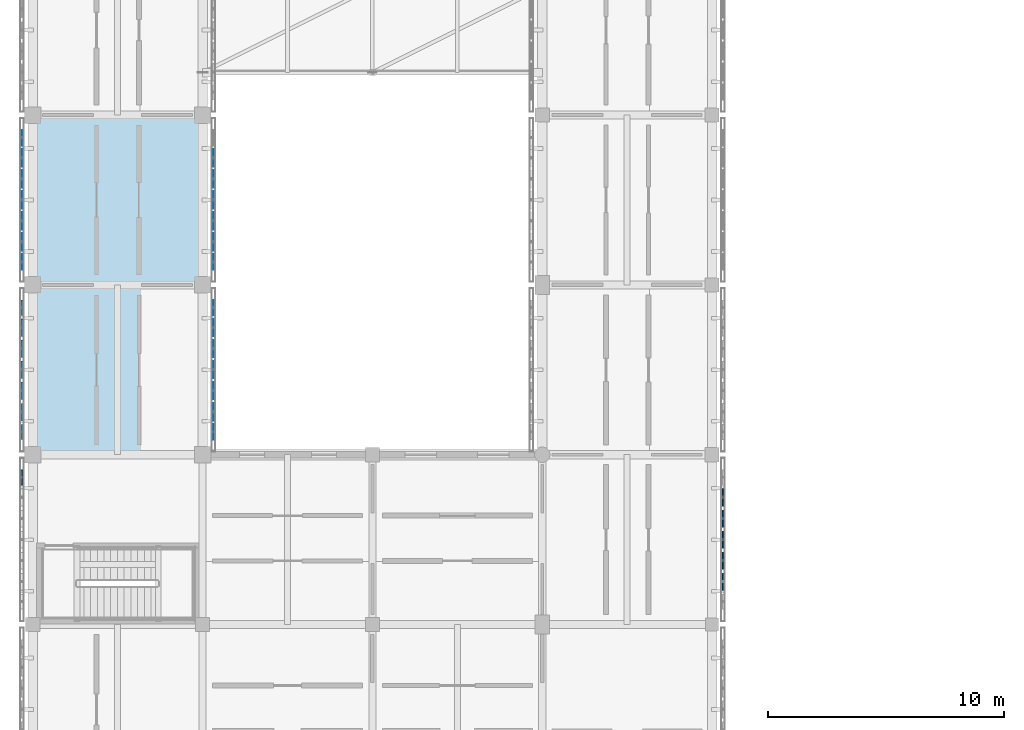
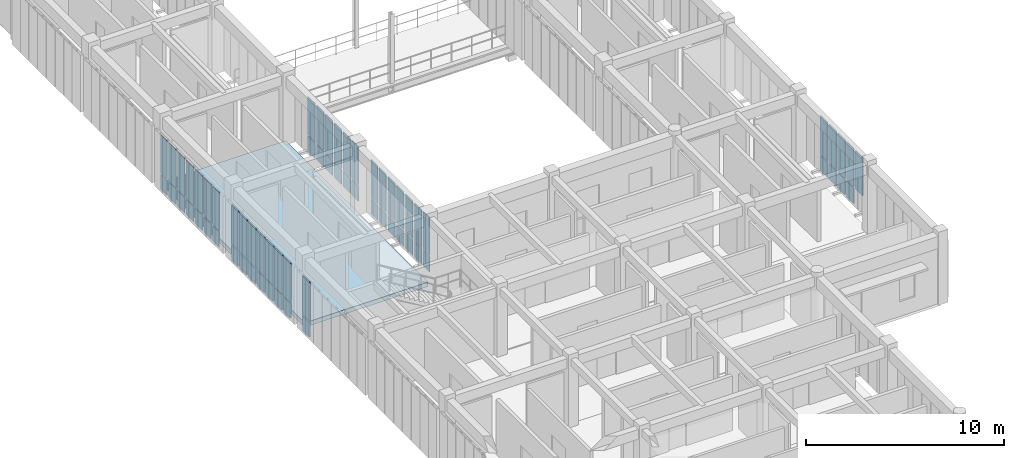
# One storey, part 97 of 171: 65 plates, 1 slab, 6 elements without a shape of their own.
"""IFC4 building model written with IfcOpenShell, lengths in metres."""

from ifc_helpers import new_model, si_unit, direction, frame, origin, origin_2d, place, context, subcontext, project, spatial, polyline, rectangle, outline, extrude, material, layer, layer_set, type_object, element, aggregate, save


model = new_model("IFC4")

# Units and contexts
model_context = context("Model", 3, precision=1e-05, world=origin(), true_north=direction((0.0, 1.0)))
body_context = subcontext(model_context, "Body", "Model", "MODEL_VIEW")
ifc_project = project(units=[si_unit("LENGTHUNIT", "METRE"), si_unit("AREAUNIT", "SQUARE_METRE"), si_unit("VOLUMEUNIT", "CUBIC_METRE"), si_unit("PLANEANGLEUNIT", "RADIAN"), si_unit("MASSUNIT", "GRAM", prefix="KILO")], contexts=[model_context])

# Site, building, storey
site_placement = place(None, origin())
site = spatial("IfcSite", under=ifc_project, at=site_placement, CompositionType="ELEMENT")
building_placement = place(site_placement, origin())
building = spatial("IfcBuilding", under=site, at=building_placement, Name="Aldebral Square Health Centre", CompositionType="ELEMENT")
storey_placement = place(building_placement, frame((0.0, 0.0, 4.5)))
storey = spatial("IfcBuildingStorey", under=building, at=storey_placement, Name="L01", CompositionType="ELEMENT", Elevation=4.5)

# Curtain wall, plates
ifc_material_1 = material(Name="Aluminium and low-E solar glass", Category="aluminium")
curtain_wall_type = type_object("IfcCurtainWallType", Name="CW-FIN-SYS", PredefinedType="USERDEFINED", material=ifc_material_1)
curtain_wall_1_placement = place(storey_placement, origin())
curtain_wall_1 = element("IfcCurtainWall", 1, at=curtain_wall_1_placement, inside=storey, type_object=curtain_wall_type, Name="L01 V4 finned curtain wall L01-V4-00-09-E", ObjectType="SOLAR_CURTAIN_WALL", PredefinedType="USERDEFINED")
ifc_material_2 = material(Name="Solar-control low-E double glass", Category="glass")
ifc_layer_1 = layer(ifc_material_2, 0.02001953125, Name="Solar-control low-E double glass", Category="glass")
ifc_layer_set_1 = layer_set([ifc_layer_1], Name="Solar-control low-E double glass")
plate_type_1 = type_object("IfcPlateType", Name="CWP-GLZ-1", PredefinedType="CURTAIN_PANEL", material=ifc_layer_set_1)
plate_1_placement = place(storey_placement, frame((7.659912109375, 65.765625, 0.074951171875), z_axis=(0.0, 0.0, 1.0), x_axis=(0.0, 1.0, 0.0)))
plate_1 = element("IfcPlate", 2, at=plate_1_placement, type_object=plate_type_1, Name="CW1 panel 1.1", PredefinedType="CURTAIN_PANEL", context=body_context, shape_type="SweptSolid", body=[
    extrude(rectangle(XDim=0.6513671875, YDim=0.02001953125, at=origin_2d()), origin(), (0.0, 0.0, 1.0), 0.9375),
])
plate_2_placement = place(storey_placement, frame((7.659912109375, 65.765625, 1.087646484375), z_axis=(0.0, 0.0, 1.0), x_axis=(0.0, 1.0, 0.0)))
plate_2 = element("IfcPlate", 3, at=plate_2_placement, type_object=plate_type_1, Name="CW1 panel 1.2", PredefinedType="CURTAIN_PANEL", context=body_context, shape_type="SweptSolid", body=[
    extrude(rectangle(XDim=0.6513671875, YDim=0.02001953125, at=origin_2d()), origin(), (0.0, 0.0, 1.0), 2.357421875),
])
plate_3_placement = place(storey_placement, frame((7.659912109375, 66.6171875, 0.074951171875), z_axis=(0.0, 0.0, 1.0), x_axis=(0.0, 1.0, 0.0)))
plate_3 = element("IfcPlate", 4, at=plate_3_placement, type_object=plate_type_1, Name="CW1 panel 2.1", PredefinedType="CURTAIN_PANEL", context=body_context, shape_type="SweptSolid", body=[
    extrude(rectangle(XDim=0.7314453125, YDim=0.02001953125, at=origin_2d()), origin(), (0.0, 0.0, 1.0), 0.9375),
])
plate_4_placement = place(storey_placement, frame((7.659912109375, 66.6171875, 1.087646484375), z_axis=(0.0, 0.0, 1.0), x_axis=(0.0, 1.0, 0.0)))
plate_4 = element("IfcPlate", 5, at=plate_4_placement, type_object=plate_type_1, Name="CW1 panel 2.2", PredefinedType="CURTAIN_PANEL", context=body_context, shape_type="SweptSolid", body=[
    extrude(rectangle(XDim=0.7314453125, YDim=0.02001953125, at=origin_2d()), origin(), (0.0, 0.0, 1.0), 2.357421875),
])
plate_5_placement = place(storey_placement, frame((7.659912109375, 67.508544921875, 0.074951171875), z_axis=(0.0, 0.0, 1.0), x_axis=(0.0, 1.0, 0.0)))
plate_5 = element("IfcPlate", 6, at=plate_5_placement, type_object=plate_type_1, Name="CW1 panel 3.1", PredefinedType="CURTAIN_PANEL", context=body_context, shape_type="SweptSolid", body=[
    extrude(rectangle(XDim=0.7314453125, YDim=0.02001953125, at=origin_2d()), origin(), (0.0, 0.0, 1.0), 0.9375),
])
plate_6_placement = place(storey_placement, frame((7.659912109375, 67.508544921875, 1.087646484375), z_axis=(0.0, 0.0, 1.0), x_axis=(0.0, 1.0, 0.0)))
plate_6 = element("IfcPlate", 7, at=plate_6_placement, type_object=plate_type_1, Name="CW1 panel 3.2", PredefinedType="CURTAIN_PANEL", context=body_context, shape_type="SweptSolid", body=[
    extrude(rectangle(XDim=0.7314453125, YDim=0.02001953125, at=origin_2d()), origin(), (0.0, 0.0, 1.0), 2.357421875),
])
plate_7_placement = place(storey_placement, frame((7.659912109375, 68.39990234375, 0.074951171875), z_axis=(0.0, 0.0, 1.0), x_axis=(0.0, 1.0, 0.0)))
plate_7 = element("IfcPlate", 8, at=plate_7_placement, type_object=plate_type_1, Name="CW1 panel 4.1", PredefinedType="CURTAIN_PANEL", context=body_context, shape_type="SweptSolid", body=[
    extrude(rectangle(XDim=0.7314453125, YDim=0.02001953125, at=origin_2d()), origin(), (0.0, 0.0, 1.0), 0.9375),
])
plate_8_placement = place(storey_placement, frame((7.659912109375, 68.39990234375, 1.087646484375), z_axis=(0.0, 0.0, 1.0), x_axis=(0.0, 1.0, 0.0)))
plate_8 = element("IfcPlate", 9, at=plate_8_placement, type_object=plate_type_1, Name="CW1 panel 4.2", PredefinedType="CURTAIN_PANEL", context=body_context, shape_type="SweptSolid", body=[
    extrude(rectangle(XDim=0.7314453125, YDim=0.02001953125, at=origin_2d()), origin(), (0.0, 0.0, 1.0), 2.357421875),
])
plate_9_placement = place(storey_placement, frame((7.659912109375, 69.29150390625, 0.074951171875), z_axis=(0.0, 0.0, 1.0), x_axis=(0.0, 1.0, 0.0)))
plate_9 = element("IfcPlate", 10, at=plate_9_placement, type_object=plate_type_1, Name="CW1 panel 5.1", PredefinedType="CURTAIN_PANEL", context=body_context, shape_type="SweptSolid", body=[
    extrude(rectangle(XDim=0.7314453125, YDim=0.02001953125, at=origin_2d()), origin(), (0.0, 0.0, 1.0), 0.9375),
])
plate_10_placement = place(storey_placement, frame((7.659912109375, 69.29150390625, 1.087646484375), z_axis=(0.0, 0.0, 1.0), x_axis=(0.0, 1.0, 0.0)))
plate_10 = element("IfcPlate", 11, at=plate_10_placement, type_object=plate_type_1, Name="CW1 panel 5.2", PredefinedType="CURTAIN_PANEL", context=body_context, shape_type="SweptSolid", body=[
    extrude(rectangle(XDim=0.7314453125, YDim=0.02001953125, at=origin_2d()), origin(), (0.0, 0.0, 1.0), 2.357421875),
])
plate_11_placement = place(storey_placement, frame((7.659912109375, 70.182861328125, 0.074951171875), z_axis=(0.0, 0.0, 1.0), x_axis=(0.0, 1.0, 0.0)))
plate_11 = element("IfcPlate", 12, at=plate_11_placement, type_object=plate_type_1, Name="CW1 panel 6.1", PredefinedType="CURTAIN_PANEL", context=body_context, shape_type="SweptSolid", body=[
    extrude(rectangle(XDim=0.7314453125, YDim=0.02001953125, at=origin_2d()), origin(), (0.0, 0.0, 1.0), 0.9375),
])
plate_12_placement = place(storey_placement, frame((7.659912109375, 70.182861328125, 1.087646484375), z_axis=(0.0, 0.0, 1.0), x_axis=(0.0, 1.0, 0.0)))
plate_12 = element("IfcPlate", 13, at=plate_12_placement, type_object=plate_type_1, Name="CW1 panel 6.2", PredefinedType="CURTAIN_PANEL", context=body_context, shape_type="SweptSolid", body=[
    extrude(rectangle(XDim=0.7314453125, YDim=0.02001953125, at=origin_2d()), origin(), (0.0, 0.0, 1.0), 2.357421875),
])
plate_13_placement = place(storey_placement, frame((7.659912109375, 71.0341796875, 0.074951171875), z_axis=(0.0, 0.0, 1.0), x_axis=(0.0, 1.0, 0.0)))
plate_13 = element("IfcPlate", 14, at=plate_13_placement, type_object=plate_type_1, Name="CW1 panel 7.1", PredefinedType="CURTAIN_PANEL", context=body_context, shape_type="SweptSolid", body=[
    extrude(rectangle(XDim=0.6513671875, YDim=0.02001953125, at=origin_2d()), origin(), (0.0, 0.0, 1.0), 0.9375),
])
plate_14_placement = place(storey_placement, frame((7.659912109375, 71.0341796875, 1.087646484375), z_axis=(0.0, 0.0, 1.0), x_axis=(0.0, 1.0, 0.0)))
plate_14 = element("IfcPlate", 15, at=plate_14_placement, type_object=plate_type_1, Name="CW1 panel 7.2", PredefinedType="CURTAIN_PANEL", context=body_context, shape_type="SweptSolid", body=[
    extrude(rectangle(XDim=0.6513671875, YDim=0.02001953125, at=origin_2d()), origin(), (0.0, 0.0, 1.0), 2.357421875),
])
aggregate(curtain_wall_1, [plate_1, plate_2, plate_3, plate_4, plate_5, plate_6, plate_7, plate_8, plate_9, plate_10, plate_11, plate_12, plate_13, plate_14])

curtain_wall_2_placement = place(storey_placement, origin())
curtain_wall_2 = element("IfcCurtainWall", 16, at=curtain_wall_2_placement, inside=storey, type_object=curtain_wall_type, Name="L01 V4 finned curtain wall L01-V4-00-10-W", ObjectType="SOLAR_CURTAIN_WALL", PredefinedType="USERDEFINED")
ifc_layer_2 = layer(ifc_material_2, 0.030029296875, Name="Solar-control low-E double glass", Category="glass")
ifc_layer_set_2 = layer_set([ifc_layer_2], Name="Solar-control low-E double glass")
plate_type_2 = type_object("IfcPlateType", Name="CWP-GLZ-2", PredefinedType="CURTAIN_PANEL", material=ifc_layer_set_2)
plate_15_placement = place(storey_placement, frame((-0.4599609375, 78.234375, 0.074951171875), z_axis=(0.0, 0.0, 1.0), x_axis=(0.0, -1.0, 0.0)))
plate_15 = element("IfcPlate", 17, at=plate_15_placement, type_object=plate_type_2, Name="CW1 panel 1.1", PredefinedType="CURTAIN_PANEL", context=body_context, shape_type="SweptSolid", body=[
    extrude(rectangle(XDim=0.6513671875, YDim=0.030029296875, at=origin_2d()), origin(), (0.0, 0.0, 1.0), 0.9375),
])
plate_16_placement = place(storey_placement, frame((-0.4599609375, 78.234375, 1.087646484375), z_axis=(0.0, 0.0, 1.0), x_axis=(0.0, -1.0, 0.0)))
plate_16 = element("IfcPlate", 18, at=plate_16_placement, type_object=plate_type_2, Name="CW1 panel 1.2", PredefinedType="CURTAIN_PANEL", context=body_context, shape_type="SweptSolid", body=[
    extrude(rectangle(XDim=0.6513671875, YDim=0.030029296875, at=origin_2d()), origin(), (0.0, 0.0, 1.0), 2.357421875),
])
plate_17_placement = place(storey_placement, frame((-0.4599609375, 77.3828125, 0.074951171875), z_axis=(0.0, 0.0, 1.0), x_axis=(0.0, -1.0, 0.0)))
plate_17 = element("IfcPlate", 19, at=plate_17_placement, type_object=plate_type_2, Name="CW1 panel 2.1", PredefinedType="CURTAIN_PANEL", context=body_context, shape_type="SweptSolid", body=[
    extrude(rectangle(XDim=0.7314453125, YDim=0.030029296875, at=origin_2d()), origin(), (0.0, 0.0, 1.0), 0.9375),
])
plate_18_placement = place(storey_placement, frame((-0.4599609375, 77.3828125, 1.087646484375), z_axis=(0.0, 0.0, 1.0), x_axis=(0.0, -1.0, 0.0)))
plate_18 = element("IfcPlate", 20, at=plate_18_placement, type_object=plate_type_2, Name="CW1 panel 2.2", PredefinedType="CURTAIN_PANEL", context=body_context, shape_type="SweptSolid", body=[
    extrude(rectangle(XDim=0.7314453125, YDim=0.030029296875, at=origin_2d()), origin(), (0.0, 0.0, 1.0), 2.357421875),
])
plate_19_placement = place(storey_placement, frame((-0.4599609375, 76.491455078125, 0.074951171875), z_axis=(0.0, 0.0, 1.0), x_axis=(0.0, -1.0, 0.0)))
plate_19 = element("IfcPlate", 21, at=plate_19_placement, type_object=plate_type_2, Name="CW1 panel 3.1", PredefinedType="CURTAIN_PANEL", context=body_context, shape_type="SweptSolid", body=[
    extrude(rectangle(XDim=0.7314453125, YDim=0.030029296875, at=origin_2d()), origin(), (0.0, 0.0, 1.0), 0.9375),
])
plate_20_placement = place(storey_placement, frame((-0.4599609375, 76.491455078125, 1.087646484375), z_axis=(0.0, 0.0, 1.0), x_axis=(0.0, -1.0, 0.0)))
plate_20 = element("IfcPlate", 22, at=plate_20_placement, type_object=plate_type_2, Name="CW1 panel 3.2", PredefinedType="CURTAIN_PANEL", context=body_context, shape_type="SweptSolid", body=[
    extrude(rectangle(XDim=0.7314453125, YDim=0.030029296875, at=origin_2d()), origin(), (0.0, 0.0, 1.0), 2.357421875),
])
plate_21_placement = place(storey_placement, frame((-0.4599609375, 75.60009765625, 0.074951171875), z_axis=(0.0, 0.0, 1.0), x_axis=(0.0, -1.0, 0.0)))
plate_21 = element("IfcPlate", 23, at=plate_21_placement, type_object=plate_type_2, Name="CW1 panel 4.1", PredefinedType="CURTAIN_PANEL", context=body_context, shape_type="SweptSolid", body=[
    extrude(rectangle(XDim=0.7314453125, YDim=0.030029296875, at=origin_2d()), origin(), (0.0, 0.0, 1.0), 0.9375),
])
plate_22_placement = place(storey_placement, frame((-0.4599609375, 75.60009765625, 1.087646484375), z_axis=(0.0, 0.0, 1.0), x_axis=(0.0, -1.0, 0.0)))
plate_22 = element("IfcPlate", 24, at=plate_22_placement, type_object=plate_type_2, Name="CW1 panel 4.2", PredefinedType="CURTAIN_PANEL", context=body_context, shape_type="SweptSolid", body=[
    extrude(rectangle(XDim=0.7314453125, YDim=0.030029296875, at=origin_2d()), origin(), (0.0, 0.0, 1.0), 2.357421875),
])
plate_23_placement = place(storey_placement, frame((-0.4599609375, 74.70849609375, 0.074951171875), z_axis=(0.0, 0.0, 1.0), x_axis=(0.0, -1.0, 0.0)))
plate_23 = element("IfcPlate", 25, at=plate_23_placement, type_object=plate_type_2, Name="CW1 panel 5.1", PredefinedType="CURTAIN_PANEL", context=body_context, shape_type="SweptSolid", body=[
    extrude(rectangle(XDim=0.7314453125, YDim=0.030029296875, at=origin_2d()), origin(), (0.0, 0.0, 1.0), 0.9375),
])
plate_24_placement = place(storey_placement, frame((-0.4599609375, 74.70849609375, 1.087646484375), z_axis=(0.0, 0.0, 1.0), x_axis=(0.0, -1.0, 0.0)))
plate_24 = element("IfcPlate", 26, at=plate_24_placement, type_object=plate_type_2, Name="CW1 panel 5.2", PredefinedType="CURTAIN_PANEL", context=body_context, shape_type="SweptSolid", body=[
    extrude(rectangle(XDim=0.7314453125, YDim=0.030029296875, at=origin_2d()), origin(), (0.0, 0.0, 1.0), 2.357421875),
])
plate_25_placement = place(storey_placement, frame((-0.4599609375, 73.817138671875, 0.074951171875), z_axis=(0.0, 0.0, 1.0), x_axis=(0.0, -1.0, 0.0)))
plate_25 = element("IfcPlate", 27, at=plate_25_placement, type_object=plate_type_2, Name="CW1 panel 6.1", PredefinedType="CURTAIN_PANEL", context=body_context, shape_type="SweptSolid", body=[
    extrude(rectangle(XDim=0.7314453125, YDim=0.030029296875, at=origin_2d()), origin(), (0.0, 0.0, 1.0), 0.9375),
])
plate_26_placement = place(storey_placement, frame((-0.4599609375, 73.817138671875, 1.087646484375), z_axis=(0.0, 0.0, 1.0), x_axis=(0.0, -1.0, 0.0)))
plate_26 = element("IfcPlate", 28, at=plate_26_placement, type_object=plate_type_2, Name="CW1 panel 6.2", PredefinedType="CURTAIN_PANEL", context=body_context, shape_type="SweptSolid", body=[
    extrude(rectangle(XDim=0.7314453125, YDim=0.030029296875, at=origin_2d()), origin(), (0.0, 0.0, 1.0), 2.357421875),
])
plate_27_placement = place(storey_placement, frame((-0.4599609375, 72.9658203125, 0.074951171875), z_axis=(0.0, 0.0, 1.0), x_axis=(0.0, -1.0, 0.0)))
plate_27 = element("IfcPlate", 29, at=plate_27_placement, type_object=plate_type_2, Name="CW1 panel 7.1", PredefinedType="CURTAIN_PANEL", context=body_context, shape_type="SweptSolid", body=[
    extrude(rectangle(XDim=0.6513671875, YDim=0.030029296875, at=origin_2d()), origin(), (0.0, 0.0, 1.0), 0.9375),
])
plate_28_placement = place(storey_placement, frame((-0.4599609375, 72.9658203125, 1.087646484375), z_axis=(0.0, 0.0, 1.0), x_axis=(0.0, -1.0, 0.0)))
plate_28 = element("IfcPlate", 30, at=plate_28_placement, type_object=plate_type_2, Name="CW1 panel 7.2", PredefinedType="CURTAIN_PANEL", context=body_context, shape_type="SweptSolid", body=[
    extrude(rectangle(XDim=0.6513671875, YDim=0.030029296875, at=origin_2d()), origin(), (0.0, 0.0, 1.0), 2.357421875),
])
aggregate(curtain_wall_2, [plate_15, plate_16, plate_17, plate_18, plate_19, plate_20, plate_21, plate_22, plate_23, plate_24, plate_25, plate_26, plate_27, plate_28])

curtain_wall_3_placement = place(storey_placement, origin())
curtain_wall_3 = element("IfcCurtainWall", 31, at=curtain_wall_3_placement, inside=storey, type_object=curtain_wall_type, Name="L01 V4 finned curtain wall L01-V4-00-10-E", ObjectType="SOLAR_CURTAIN_WALL", PredefinedType="USERDEFINED")
ifc_layer_3 = layer(ifc_material_2, 0.0400390625, Name="Solar-control low-E double glass", Category="glass")
ifc_layer_set_3 = layer_set([ifc_layer_3], Name="Solar-control low-E double glass")
plate_type_3 = type_object("IfcPlateType", Name="CWP-GLZ-3", PredefinedType="CURTAIN_PANEL", material=ifc_layer_set_3)
plate_29_placement = place(storey_placement, frame((7.659912109375, 72.9658203125, 0.074951171875), z_axis=(0.0, 0.0, 1.0), x_axis=(0.0, 1.0, 0.0)))
plate_29 = element("IfcPlate", 32, at=plate_29_placement, type_object=plate_type_3, Name="CW1 panel 1.1", PredefinedType="CURTAIN_PANEL", context=body_context, shape_type="SweptSolid", body=[
    extrude(rectangle(XDim=0.6513671875, YDim=0.0400390625, at=origin_2d()), origin(), (0.0, 0.0, 1.0), 0.9375),
])
plate_30_placement = place(storey_placement, frame((7.659912109375, 72.9658203125, 1.087646484375), z_axis=(0.0, 0.0, 1.0), x_axis=(0.0, 1.0, 0.0)))
plate_30 = element("IfcPlate", 33, at=plate_30_placement, type_object=plate_type_3, Name="CW1 panel 1.2", PredefinedType="CURTAIN_PANEL", context=body_context, shape_type="SweptSolid", body=[
    extrude(rectangle(XDim=0.6513671875, YDim=0.0400390625, at=origin_2d()), origin(), (0.0, 0.0, 1.0), 2.357421875),
])
plate_31_placement = place(storey_placement, frame((7.659912109375, 73.817138671875, 0.074951171875), z_axis=(0.0, 0.0, 1.0), x_axis=(0.0, 1.0, 0.0)))
plate_31 = element("IfcPlate", 34, at=plate_31_placement, type_object=plate_type_3, Name="CW1 panel 2.1", PredefinedType="CURTAIN_PANEL", context=body_context, shape_type="SweptSolid", body=[
    extrude(rectangle(XDim=0.7314453125, YDim=0.0400390625, at=origin_2d()), origin(), (0.0, 0.0, 1.0), 0.9375),
])
plate_32_placement = place(storey_placement, frame((7.659912109375, 73.817138671875, 1.087646484375), z_axis=(0.0, 0.0, 1.0), x_axis=(0.0, 1.0, 0.0)))
plate_32 = element("IfcPlate", 35, at=plate_32_placement, type_object=plate_type_3, Name="CW1 panel 2.2", PredefinedType="CURTAIN_PANEL", context=body_context, shape_type="SweptSolid", body=[
    extrude(rectangle(XDim=0.7314453125, YDim=0.0400390625, at=origin_2d()), origin(), (0.0, 0.0, 1.0), 2.357421875),
])
plate_33_placement = place(storey_placement, frame((7.659912109375, 74.70849609375, 0.074951171875), z_axis=(0.0, 0.0, 1.0), x_axis=(0.0, 1.0, 0.0)))
plate_33 = element("IfcPlate", 36, at=plate_33_placement, type_object=plate_type_3, Name="CW1 panel 3.1", PredefinedType="CURTAIN_PANEL", context=body_context, shape_type="SweptSolid", body=[
    extrude(rectangle(XDim=0.7314453125, YDim=0.0400390625, at=origin_2d()), origin(), (0.0, 0.0, 1.0), 0.9375),
])
plate_34_placement = place(storey_placement, frame((7.659912109375, 74.70849609375, 1.087646484375), z_axis=(0.0, 0.0, 1.0), x_axis=(0.0, 1.0, 0.0)))
plate_34 = element("IfcPlate", 37, at=plate_34_placement, type_object=plate_type_3, Name="CW1 panel 3.2", PredefinedType="CURTAIN_PANEL", context=body_context, shape_type="SweptSolid", body=[
    extrude(rectangle(XDim=0.7314453125, YDim=0.0400390625, at=origin_2d()), origin(), (0.0, 0.0, 1.0), 2.357421875),
])
plate_35_placement = place(storey_placement, frame((7.659912109375, 75.60009765625, 0.074951171875), z_axis=(0.0, 0.0, 1.0), x_axis=(0.0, 1.0, 0.0)))
plate_35 = element("IfcPlate", 38, at=plate_35_placement, type_object=plate_type_3, Name="CW1 panel 4.1", PredefinedType="CURTAIN_PANEL", context=body_context, shape_type="SweptSolid", body=[
    extrude(rectangle(XDim=0.7314453125, YDim=0.0400390625, at=origin_2d()), origin(), (0.0, 0.0, 1.0), 0.9375),
])
plate_36_placement = place(storey_placement, frame((7.659912109375, 75.60009765625, 1.087646484375), z_axis=(0.0, 0.0, 1.0), x_axis=(0.0, 1.0, 0.0)))
plate_36 = element("IfcPlate", 39, at=plate_36_placement, type_object=plate_type_3, Name="CW1 panel 4.2", PredefinedType="CURTAIN_PANEL", context=body_context, shape_type="SweptSolid", body=[
    extrude(rectangle(XDim=0.7314453125, YDim=0.0400390625, at=origin_2d()), origin(), (0.0, 0.0, 1.0), 2.357421875),
])
plate_37_placement = place(storey_placement, frame((7.659912109375, 76.491455078125, 0.074951171875), z_axis=(0.0, 0.0, 1.0), x_axis=(0.0, 1.0, 0.0)))
plate_37 = element("IfcPlate", 40, at=plate_37_placement, type_object=plate_type_3, Name="CW1 panel 5.1", PredefinedType="CURTAIN_PANEL", context=body_context, shape_type="SweptSolid", body=[
    extrude(rectangle(XDim=0.7314453125, YDim=0.0400390625, at=origin_2d()), origin(), (0.0, 0.0, 1.0), 0.9375),
])
plate_38_placement = place(storey_placement, frame((7.659912109375, 76.491455078125, 1.087646484375), z_axis=(0.0, 0.0, 1.0), x_axis=(0.0, 1.0, 0.0)))
plate_38 = element("IfcPlate", 41, at=plate_38_placement, type_object=plate_type_3, Name="CW1 panel 5.2", PredefinedType="CURTAIN_PANEL", context=body_context, shape_type="SweptSolid", body=[
    extrude(rectangle(XDim=0.7314453125, YDim=0.0400390625, at=origin_2d()), origin(), (0.0, 0.0, 1.0), 2.357421875),
])
plate_39_placement = place(storey_placement, frame((7.659912109375, 77.3828125, 0.074951171875), z_axis=(0.0, 0.0, 1.0), x_axis=(0.0, 1.0, 0.0)))
plate_39 = element("IfcPlate", 42, at=plate_39_placement, type_object=plate_type_3, Name="CW1 panel 6.1", PredefinedType="CURTAIN_PANEL", context=body_context, shape_type="SweptSolid", body=[
    extrude(rectangle(XDim=0.7314453125, YDim=0.0400390625, at=origin_2d()), origin(), (0.0, 0.0, 1.0), 0.9375),
])
plate_40_placement = place(storey_placement, frame((7.659912109375, 77.3828125, 1.087646484375), z_axis=(0.0, 0.0, 1.0), x_axis=(0.0, 1.0, 0.0)))
plate_40 = element("IfcPlate", 43, at=plate_40_placement, type_object=plate_type_3, Name="CW1 panel 6.2", PredefinedType="CURTAIN_PANEL", context=body_context, shape_type="SweptSolid", body=[
    extrude(rectangle(XDim=0.7314453125, YDim=0.0400390625, at=origin_2d()), origin(), (0.0, 0.0, 1.0), 2.357421875),
])
aggregate(curtain_wall_3, [plate_29, plate_30, plate_31, plate_32, plate_33, plate_34, plate_35, plate_36, plate_37, plate_38, plate_39, plate_40])

curtain_wall_4_placement = place(storey_placement, origin())
curtain_wall_4 = element("IfcCurtainWall", 44, at=curtain_wall_4_placement, inside=storey, type_object=curtain_wall_type, Name="L01 V4 finned curtain wall L01-V4-03-08-E", ObjectType="SOLAR_CURTAIN_WALL", PredefinedType="USERDEFINED")
ifc_layer_4 = layer(ifc_material_2, 0.06005859375, Name="Solar-control low-E double glass", Category="glass")
ifc_layer_set_4 = layer_set([ifc_layer_4], Name="Solar-control low-E double glass")
plate_type_4 = type_object("IfcPlateType", Name="CWP-GLZ-5", PredefinedType="CURTAIN_PANEL", material=ifc_layer_set_4)
plate_41_placement = place(storey_placement, frame((29.260009765625, 59.417236328125, 1.087646484375), z_axis=(0.0, 0.0, 1.0), x_axis=(0.0, 1.0, 0.0)))
plate_41 = element("IfcPlate", 45, at=plate_41_placement, type_object=plate_type_4, Name="CW1 panel 2.2", PredefinedType="CURTAIN_PANEL", context=body_context, shape_type="SweptSolid", body=[
    extrude(rectangle(XDim=0.7314453125, YDim=0.06005859375, at=origin_2d()), origin(), (0.0, 0.0, 1.0), 2.357421875),
])
plate_42_placement = place(storey_placement, frame((29.260009765625, 60.30859375, 0.074951171875), z_axis=(0.0, 0.0, 1.0), x_axis=(0.0, 1.0, 0.0)))
plate_42 = element("IfcPlate", 46, at=plate_42_placement, type_object=plate_type_4, Name="CW1 panel 3.1", PredefinedType="CURTAIN_PANEL", context=body_context, shape_type="SweptSolid", body=[
    extrude(rectangle(XDim=0.7314453125, YDim=0.06005859375, at=origin_2d()), origin(), (0.0, 0.0, 1.0), 0.9375),
])
plate_43_placement = place(storey_placement, frame((29.260009765625, 60.30859375, 1.087646484375), z_axis=(0.0, 0.0, 1.0), x_axis=(0.0, 1.0, 0.0)))
plate_43 = element("IfcPlate", 47, at=plate_43_placement, type_object=plate_type_4, Name="CW1 panel 3.2", PredefinedType="CURTAIN_PANEL", context=body_context, shape_type="SweptSolid", body=[
    extrude(rectangle(XDim=0.7314453125, YDim=0.06005859375, at=origin_2d()), origin(), (0.0, 0.0, 1.0), 2.357421875),
])
plate_44_placement = place(storey_placement, frame((29.260009765625, 61.199951171875, 0.074951171875), z_axis=(0.0, 0.0, 1.0), x_axis=(0.0, 1.0, 0.0)))
plate_44 = element("IfcPlate", 48, at=plate_44_placement, type_object=plate_type_4, Name="CW1 panel 4.1", PredefinedType="CURTAIN_PANEL", context=body_context, shape_type="SweptSolid", body=[
    extrude(rectangle(XDim=0.7314453125, YDim=0.06005859375, at=origin_2d()), origin(), (0.0, 0.0, 1.0), 0.9375),
])
plate_45_placement = place(storey_placement, frame((29.260009765625, 61.199951171875, 1.087646484375), z_axis=(0.0, 0.0, 1.0), x_axis=(0.0, 1.0, 0.0)))
plate_45 = element("IfcPlate", 49, at=plate_45_placement, type_object=plate_type_4, Name="CW1 panel 4.2", PredefinedType="CURTAIN_PANEL", context=body_context, shape_type="SweptSolid", body=[
    extrude(rectangle(XDim=0.7314453125, YDim=0.06005859375, at=origin_2d()), origin(), (0.0, 0.0, 1.0), 2.357421875),
])
plate_46_placement = place(storey_placement, frame((29.260009765625, 62.09130859375, 0.074951171875), z_axis=(0.0, 0.0, 1.0), x_axis=(0.0, 1.0, 0.0)))
plate_46 = element("IfcPlate", 50, at=plate_46_placement, type_object=plate_type_4, Name="CW1 panel 5.1", PredefinedType="CURTAIN_PANEL", context=body_context, shape_type="SweptSolid", body=[
    extrude(rectangle(XDim=0.7314453125, YDim=0.06005859375, at=origin_2d()), origin(), (0.0, 0.0, 1.0), 0.9375),
])
plate_47_placement = place(storey_placement, frame((29.260009765625, 62.09130859375, 1.087646484375), z_axis=(0.0, 0.0, 1.0), x_axis=(0.0, 1.0, 0.0)))
plate_47 = element("IfcPlate", 51, at=plate_47_placement, type_object=plate_type_4, Name="CW1 panel 5.2", PredefinedType="CURTAIN_PANEL", context=body_context, shape_type="SweptSolid", body=[
    extrude(rectangle(XDim=0.7314453125, YDim=0.06005859375, at=origin_2d()), origin(), (0.0, 0.0, 1.0), 2.357421875),
])
plate_48_placement = place(storey_placement, frame((29.260009765625, 62.98291015625, 0.074951171875), z_axis=(0.0, 0.0, 1.0), x_axis=(0.0, 1.0, 0.0)))
plate_48 = element("IfcPlate", 52, at=plate_48_placement, type_object=plate_type_4, Name="CW1 panel 6.1", PredefinedType="CURTAIN_PANEL", context=body_context, shape_type="SweptSolid", body=[
    extrude(rectangle(XDim=0.7314453125, YDim=0.06005859375, at=origin_2d()), origin(), (0.0, 0.0, 1.0), 0.9375),
])
plate_49_placement = place(storey_placement, frame((29.260009765625, 62.98291015625, 1.087646484375), z_axis=(0.0, 0.0, 1.0), x_axis=(0.0, 1.0, 0.0)))
plate_49 = element("IfcPlate", 53, at=plate_49_placement, type_object=plate_type_4, Name="CW1 panel 6.2", PredefinedType="CURTAIN_PANEL", context=body_context, shape_type="SweptSolid", body=[
    extrude(rectangle(XDim=0.7314453125, YDim=0.06005859375, at=origin_2d()), origin(), (0.0, 0.0, 1.0), 2.357421875),
])
aggregate(curtain_wall_4, [plate_41, plate_42, plate_43, plate_44, plate_45, plate_46, plate_47, plate_48, plate_49])

curtain_wall_5_placement = place(storey_placement, origin())
curtain_wall_5 = element("IfcCurtainWall", 54, at=curtain_wall_5_placement, inside=storey, type_object=curtain_wall_type, Name="L01 V4 finned curtain wall L01-V4-00-08-W", ObjectType="SOLAR_CURTAIN_WALL", PredefinedType="USERDEFINED")
ifc_layer_5 = layer(ifc_material_2, 0.080078125, Name="Solar-control low-E double glass", Category="glass")
ifc_layer_set_5 = layer_set([ifc_layer_5], Name="Solar-control low-E double glass")
plate_type_5 = type_object("IfcPlateType", Name="CWP-GLZ-7", PredefinedType="CURTAIN_PANEL", material=ifc_layer_set_5)
plate_50_placement = place(storey_placement, frame((-0.4599609375, 63.834228515625, 0.074951171875), z_axis=(0.0, 0.0, 1.0), x_axis=(0.0, -1.0, 0.0)))
plate_50 = element("IfcPlate", 55, at=plate_50_placement, type_object=plate_type_5, Name="CW1 panel 1.1", PredefinedType="CURTAIN_PANEL", context=body_context, shape_type="SweptSolid", body=[
    extrude(rectangle(XDim=0.6513671875, YDim=0.080078125, at=origin_2d()), origin(), (0.0, 0.0, 1.0), 0.9375),
])
plate_51_placement = place(storey_placement, frame((-0.4599609375, 63.834228515625, 1.087646484375), z_axis=(0.0, 0.0, 1.0), x_axis=(0.0, -1.0, 0.0)))
plate_51 = element("IfcPlate", 56, at=plate_51_placement, type_object=plate_type_5, Name="CW1 panel 1.2", PredefinedType="CURTAIN_PANEL", context=body_context, shape_type="SweptSolid", body=[
    extrude(rectangle(XDim=0.6513671875, YDim=0.080078125, at=origin_2d()), origin(), (0.0, 0.0, 1.0), 2.357421875),
])
aggregate(curtain_wall_5, [plate_50, plate_51])

curtain_wall_6_placement = place(storey_placement, origin())
curtain_wall_6 = element("IfcCurtainWall", 57, at=curtain_wall_6_placement, inside=storey, type_object=curtain_wall_type, Name="L01 V4 finned curtain wall L01-V4-00-09-W", ObjectType="SOLAR_CURTAIN_WALL", PredefinedType="USERDEFINED")
ifc_layer_6 = layer(ifc_material_2, 0.090087890625, Name="Solar-control low-E double glass", Category="glass")
ifc_layer_set_6 = layer_set([ifc_layer_6], Name="Solar-control low-E double glass")
plate_type_6 = type_object("IfcPlateType", Name="CWP-GLZ-8", PredefinedType="CURTAIN_PANEL", material=ifc_layer_set_6)
plate_52_placement = place(storey_placement, frame((-0.4599609375, 71.0341796875, 0.074951171875), z_axis=(0.0, 0.0, 1.0), x_axis=(0.0, -1.0, 0.0)))
plate_52 = element("IfcPlate", 58, at=plate_52_placement, type_object=plate_type_6, Name="CW1 panel 1.1", PredefinedType="CURTAIN_PANEL", context=body_context, shape_type="SweptSolid", body=[
    extrude(rectangle(XDim=0.6513671875, YDim=0.090087890625, at=origin_2d()), origin(), (0.0, 0.0, 1.0), 0.9375),
])
plate_53_placement = place(storey_placement, frame((-0.4599609375, 71.0341796875, 1.087646484375), z_axis=(0.0, 0.0, 1.0), x_axis=(0.0, -1.0, 0.0)))
plate_53 = element("IfcPlate", 59, at=plate_53_placement, type_object=plate_type_6, Name="CW1 panel 1.2", PredefinedType="CURTAIN_PANEL", context=body_context, shape_type="SweptSolid", body=[
    extrude(rectangle(XDim=0.6513671875, YDim=0.090087890625, at=origin_2d()), origin(), (0.0, 0.0, 1.0), 2.357421875),
])
plate_54_placement = place(storey_placement, frame((-0.4599609375, 70.182861328125, 0.074951171875), z_axis=(0.0, 0.0, 1.0), x_axis=(0.0, -1.0, 0.0)))
plate_54 = element("IfcPlate", 60, at=plate_54_placement, type_object=plate_type_6, Name="CW1 panel 2.1", PredefinedType="CURTAIN_PANEL", context=body_context, shape_type="SweptSolid", body=[
    extrude(rectangle(XDim=0.7314453125, YDim=0.090087890625, at=origin_2d()), origin(), (0.0, 0.0, 1.0), 0.9375),
])
plate_55_placement = place(storey_placement, frame((-0.4599609375, 70.182861328125, 1.087646484375), z_axis=(0.0, 0.0, 1.0), x_axis=(0.0, -1.0, 0.0)))
plate_55 = element("IfcPlate", 61, at=plate_55_placement, type_object=plate_type_6, Name="CW1 panel 2.2", PredefinedType="CURTAIN_PANEL", context=body_context, shape_type="SweptSolid", body=[
    extrude(rectangle(XDim=0.7314453125, YDim=0.090087890625, at=origin_2d()), origin(), (0.0, 0.0, 1.0), 2.357421875),
])
plate_56_placement = place(storey_placement, frame((-0.4599609375, 69.29150390625, 0.074951171875), z_axis=(0.0, 0.0, 1.0), x_axis=(0.0, -1.0, 0.0)))
plate_56 = element("IfcPlate", 62, at=plate_56_placement, type_object=plate_type_6, Name="CW1 panel 3.1", PredefinedType="CURTAIN_PANEL", context=body_context, shape_type="SweptSolid", body=[
    extrude(rectangle(XDim=0.7314453125, YDim=0.090087890625, at=origin_2d()), origin(), (0.0, 0.0, 1.0), 0.9375),
])
plate_57_placement = place(storey_placement, frame((-0.4599609375, 69.29150390625, 1.087646484375), z_axis=(0.0, 0.0, 1.0), x_axis=(0.0, -1.0, 0.0)))
plate_57 = element("IfcPlate", 63, at=plate_57_placement, type_object=plate_type_6, Name="CW1 panel 3.2", PredefinedType="CURTAIN_PANEL", context=body_context, shape_type="SweptSolid", body=[
    extrude(rectangle(XDim=0.7314453125, YDim=0.090087890625, at=origin_2d()), origin(), (0.0, 0.0, 1.0), 2.357421875),
])
plate_58_placement = place(storey_placement, frame((-0.4599609375, 68.39990234375, 0.074951171875), z_axis=(0.0, 0.0, 1.0), x_axis=(0.0, -1.0, 0.0)))
plate_58 = element("IfcPlate", 64, at=plate_58_placement, type_object=plate_type_6, Name="CW1 panel 4.1", PredefinedType="CURTAIN_PANEL", context=body_context, shape_type="SweptSolid", body=[
    extrude(rectangle(XDim=0.7314453125, YDim=0.090087890625, at=origin_2d()), origin(), (0.0, 0.0, 1.0), 0.9375),
])
plate_59_placement = place(storey_placement, frame((-0.4599609375, 68.39990234375, 1.087646484375), z_axis=(0.0, 0.0, 1.0), x_axis=(0.0, -1.0, 0.0)))
plate_59 = element("IfcPlate", 65, at=plate_59_placement, type_object=plate_type_6, Name="CW1 panel 4.2", PredefinedType="CURTAIN_PANEL", context=body_context, shape_type="SweptSolid", body=[
    extrude(rectangle(XDim=0.7314453125, YDim=0.090087890625, at=origin_2d()), origin(), (0.0, 0.0, 1.0), 2.357421875),
])
plate_60_placement = place(storey_placement, frame((-0.4599609375, 67.508544921875, 0.074951171875), z_axis=(0.0, 0.0, 1.0), x_axis=(0.0, -1.0, 0.0)))
plate_60 = element("IfcPlate", 66, at=plate_60_placement, type_object=plate_type_6, Name="CW1 panel 5.1", PredefinedType="CURTAIN_PANEL", context=body_context, shape_type="SweptSolid", body=[
    extrude(rectangle(XDim=0.7314453125, YDim=0.090087890625, at=origin_2d()), origin(), (0.0, 0.0, 1.0), 0.9375),
])
plate_61_placement = place(storey_placement, frame((-0.4599609375, 67.508544921875, 1.087646484375), z_axis=(0.0, 0.0, 1.0), x_axis=(0.0, -1.0, 0.0)))
plate_61 = element("IfcPlate", 67, at=plate_61_placement, type_object=plate_type_6, Name="CW1 panel 5.2", PredefinedType="CURTAIN_PANEL", context=body_context, shape_type="SweptSolid", body=[
    extrude(rectangle(XDim=0.7314453125, YDim=0.090087890625, at=origin_2d()), origin(), (0.0, 0.0, 1.0), 2.357421875),
])
plate_62_placement = place(storey_placement, frame((-0.4599609375, 66.6171875, 0.074951171875), z_axis=(0.0, 0.0, 1.0), x_axis=(0.0, -1.0, 0.0)))
plate_62 = element("IfcPlate", 68, at=plate_62_placement, type_object=plate_type_6, Name="CW1 panel 6.1", PredefinedType="CURTAIN_PANEL", context=body_context, shape_type="SweptSolid", body=[
    extrude(rectangle(XDim=0.7314453125, YDim=0.090087890625, at=origin_2d()), origin(), (0.0, 0.0, 1.0), 0.9375),
])
plate_63_placement = place(storey_placement, frame((-0.4599609375, 66.6171875, 1.087646484375), z_axis=(0.0, 0.0, 1.0), x_axis=(0.0, -1.0, 0.0)))
plate_63 = element("IfcPlate", 69, at=plate_63_placement, type_object=plate_type_6, Name="CW1 panel 6.2", PredefinedType="CURTAIN_PANEL", context=body_context, shape_type="SweptSolid", body=[
    extrude(rectangle(XDim=0.7314453125, YDim=0.090087890625, at=origin_2d()), origin(), (0.0, 0.0, 1.0), 2.357421875),
])
plate_64_placement = place(storey_placement, frame((-0.4599609375, 65.765625, 0.074951171875), z_axis=(0.0, 0.0, 1.0), x_axis=(0.0, -1.0, 0.0)))
plate_64 = element("IfcPlate", 70, at=plate_64_placement, type_object=plate_type_6, Name="CW1 panel 7.1", PredefinedType="CURTAIN_PANEL", context=body_context, shape_type="SweptSolid", body=[
    extrude(rectangle(XDim=0.6513671875, YDim=0.090087890625, at=origin_2d()), origin(), (0.0, 0.0, 1.0), 0.9375),
])
plate_65_placement = place(storey_placement, frame((-0.4599609375, 65.765625, 1.087646484375), z_axis=(0.0, 0.0, 1.0), x_axis=(0.0, -1.0, 0.0)))
plate_65 = element("IfcPlate", 71, at=plate_65_placement, type_object=plate_type_6, Name="CW1 panel 7.2", PredefinedType="CURTAIN_PANEL", context=body_context, shape_type="SweptSolid", body=[
    extrude(rectangle(XDim=0.6513671875, YDim=0.090087890625, at=origin_2d()), origin(), (0.0, 0.0, 1.0), 2.357421875),
])
aggregate(curtain_wall_6, [plate_52, plate_53, plate_54, plate_55, plate_56, plate_57, plate_58, plate_59, plate_60, plate_61, plate_62, plate_63, plate_64, plate_65])

# Slab
ifc_material_3 = material(Name="Concrete C35/45", Category="concrete")
ifc_layer_7 = layer(ifc_material_3, 0.27001953125, Name="Concrete C35/45", Category="concrete")
ifc_layer_set_7 = layer_set([ifc_layer_7], Name="Concrete C35/45")
slab_type = type_object("IfcSlabType", Name="SL-FLR-270", PredefinedType="FLOOR", material=ifc_layer_set_7)
slab_placement = place(storey_placement, frame((0.0, 0.0, -0.27001953125)))
element("IfcSlab", 72, at=slab_placement, inside=storey, type_object=slab_type, Name="L01 V4 floor slab 2", PredefinedType="FLOOR", context=body_context, shape_type="SweptSolid", body=[
    extrude(outline(polyline([(0.0, 64.800048828125), (0.0, 72.0), (0.0, 79.199951171875), (7.199951171875, 79.199951171875), (7.199951171875, 72.0), (7.199951171875, 64.800048828125), (0.0, 64.800048828125)])), origin(), (0.0, 0.0, 1.0), 0.27001953125),
])

save(model, "model.ifc")
